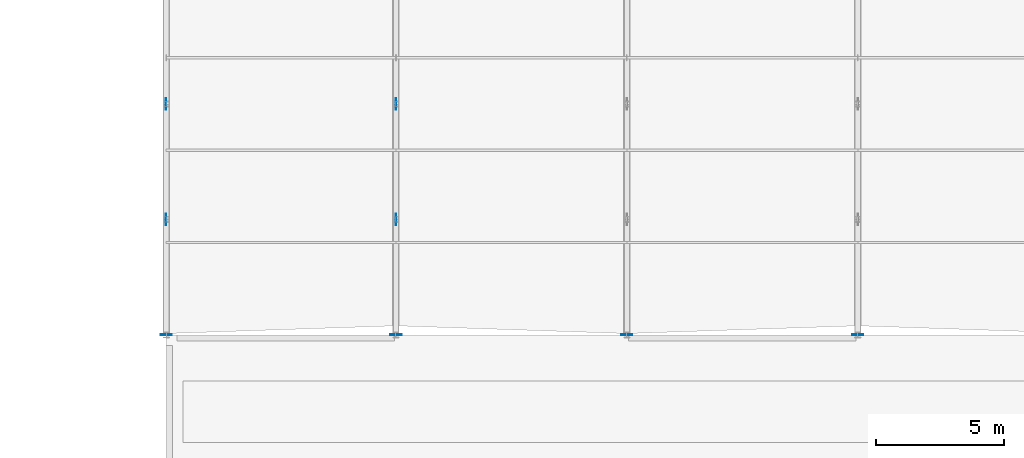
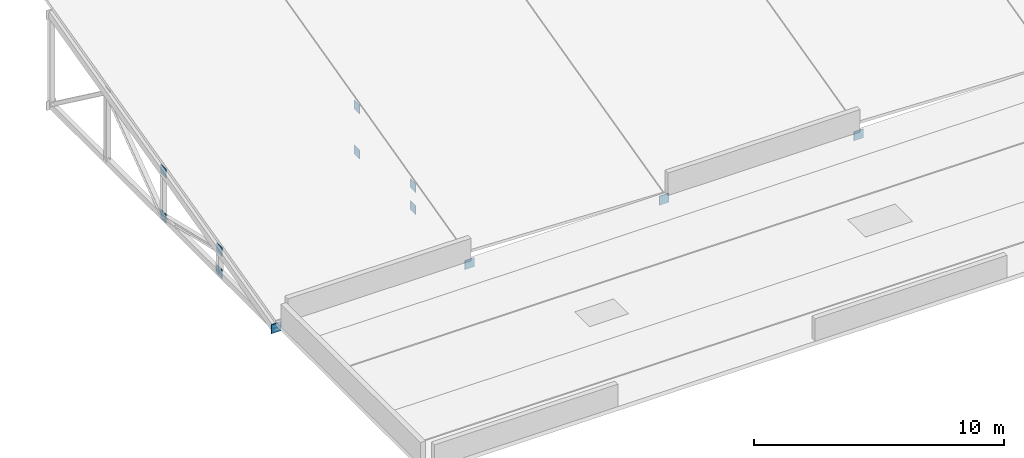
# One storey, part 21 of 36: 12 plates.
"""IFC4 building model written with IfcOpenShell, lengths in metres."""

from ifc_helpers import new_model, si_unit, direction, frame, origin, origin_2d, place, context, subcontext, project, spatial, rectangle, extrude, material, layer, layer_set, type_object, element, save


model = new_model("IFC4")

# Units and contexts
model_context = context("Model", 3, precision=1e-05, world=origin(), true_north=direction((0.0, 1.0)))
body_context = subcontext(model_context, "Body", "Model", "MODEL_VIEW")
ifc_project = project(units=[si_unit("LENGTHUNIT", "METRE"), si_unit("AREAUNIT", "SQUARE_METRE"), si_unit("VOLUMEUNIT", "CUBIC_METRE"), si_unit("PLANEANGLEUNIT", "RADIAN"), si_unit("MASSUNIT", "GRAM", prefix="KILO")], contexts=[model_context])

# Site, building, storey
site_placement = place(None, origin())
site = spatial("IfcSite", under=ifc_project, at=site_placement, CompositionType="ELEMENT")
building_placement = place(site_placement, origin())
building = spatial("IfcBuilding", under=site, at=building_placement, Name="Montelvaro Courts of Justice", CompositionType="ELEMENT")
storey_placement = place(building_placement, frame((0.0, 0.0, 23.39990234375)))
storey = spatial("IfcBuildingStorey", under=building, at=storey_placement, Name="L05", CompositionType="ELEMENT", Elevation=23.39990234375)

# Plates
ifc_material = material(Name="Steel S355", Category="steel")
ifc_layer_1 = layer(ifc_material, 0.035888671875)
ifc_layer_set_1 = layer_set([ifc_layer_1], Name="Steel S355")
plate_type_1 = type_object("IfcPlateType", Name="EndCapPlate_36", PredefinedType="USERDEFINED", material=ifc_layer_set_1)
for number, where, z_axis, x_axis, name in (
    (1, (99.050048828125, 78.0, -0.519775390625), (0.0, 0.0, 1.0), (1.0, 0.0, 0.0), "Roof Truss End Cap Plate CP-02 ROOF-V2-VTR01-B0"),
    (2, (108.0, 78.0, -0.519775390625), (0.0, 0.0, 1.0), (1.0, 0.0, 0.0), "Roof Truss End Cap Plate CP-02 ROOF-V2-VTR02-B0"),
    (3, (117.0, 78.0, -0.519775390625), (0.0, 0.0, 1.0), (1.0, 0.0, 0.0), "Roof Truss End Cap Plate CP-02 ROOF-V2-VTR03-B0"),
    (4, (126.0, 78.0, -0.519775390625), (0.0, 0.0, 1.0), (1.0, 0.0, 0.0), "Roof Truss End Cap Plate CP-02 ROOF-V2-VTR04-B0"),
):
    element("IfcPlate", number, at=place(storey_placement, frame(where, z_axis=z_axis, x_axis=x_axis)), inside=storey, type_object=plate_type_1, Name=name, ObjectType="GUSSET PLATE", PredefinedType="USERDEFINED", context=body_context, shape_type="SweptSolid", body=[
        extrude(rectangle(XDim=0.43994140625, YDim=0.035888671875, at=origin_2d()), origin(), (0.0, 0.0, 1.0), 0.43994140625),
    ])
ifc_layer_2 = layer(ifc_material, 0.02001953125)
ifc_layer_set_2 = layer_set([ifc_layer_2], Name="Steel S355")
plate_type_2 = type_object("IfcPlateType", Name="GussetPlate_20", PredefinedType="USERDEFINED", material=ifc_layer_set_2)
for number, where, z_axis, x_axis, name in (
    (5, (99.050048828125, 82.5, -0.519775390625), (0.0, 0.0, 1.0), (1.0, 0.0, 0.0), "Roof Truss Gusset Plate GP-01 ROOF-V2-VTR01-1B"),
    (6, (99.050048828125, 82.5, 0.55517578125), (0.0, 0.0, 1.0), (1.0, 0.0, 0.0), "Roof Truss Gusset Plate GP-01 ROOF-V2-VTR01-1T"),
    (7, (99.050048828125, 87.0, -0.519775390625), (0.0, 0.0, 1.0), (1.0, 0.0, 0.0), "Roof Truss Gusset Plate GP-01 ROOF-V2-VTR01-2B"),
    (8, (99.050048828125, 87.0, 1.68017578125), (0.0, 0.0, 1.0), (1.0, 0.0, 0.0), "Roof Truss Gusset Plate GP-01 ROOF-V2-VTR01-2T"),
    (9, (108.0, 82.5, -0.519775390625), (0.0, 0.0, 1.0), (1.0, 0.0, 0.0), "Roof Truss Gusset Plate GP-01 ROOF-V2-VTR02-1B"),
    (10, (108.0, 82.5, 0.55517578125), (0.0, 0.0, 1.0), (1.0, 0.0, 0.0), "Roof Truss Gusset Plate GP-01 ROOF-V2-VTR02-1T"),
    (11, (108.0, 87.0, -0.519775390625), (0.0, 0.0, 1.0), (1.0, 0.0, 0.0), "Roof Truss Gusset Plate GP-01 ROOF-V2-VTR02-2B"),
    (12, (108.0, 87.0, 1.68017578125), (0.0, 0.0, 1.0), (1.0, 0.0, 0.0), "Roof Truss Gusset Plate GP-01 ROOF-V2-VTR02-2T"),
):
    element("IfcPlate", number, at=place(storey_placement, frame(where, z_axis=z_axis, x_axis=x_axis)), inside=storey, type_object=plate_type_2, Name=name, ObjectType="GUSSET PLATE", PredefinedType="USERDEFINED", context=body_context, shape_type="SweptSolid", body=[
        extrude(rectangle(XDim=0.02001953125, YDim=0.43994140625, at=origin_2d()), origin(), (0.0, 0.0, 1.0), 0.43994140625),
    ])

save(model, "model.ifc")
